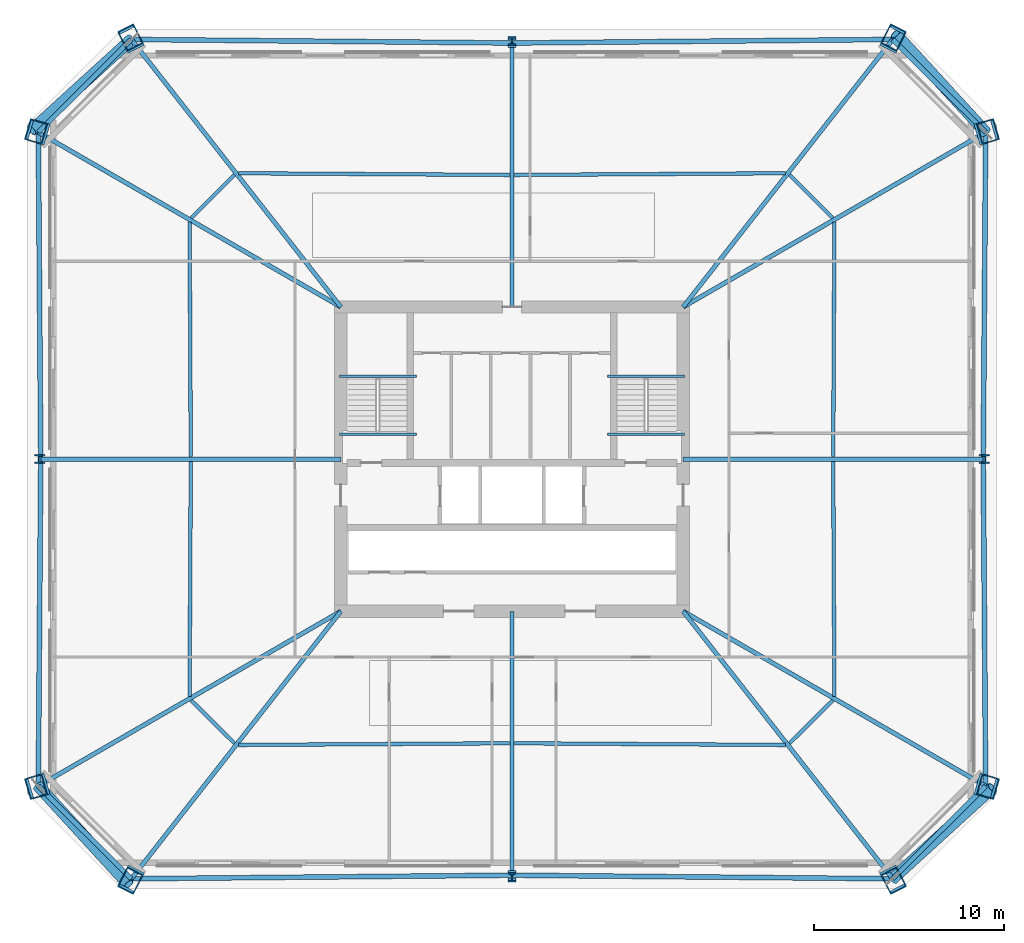
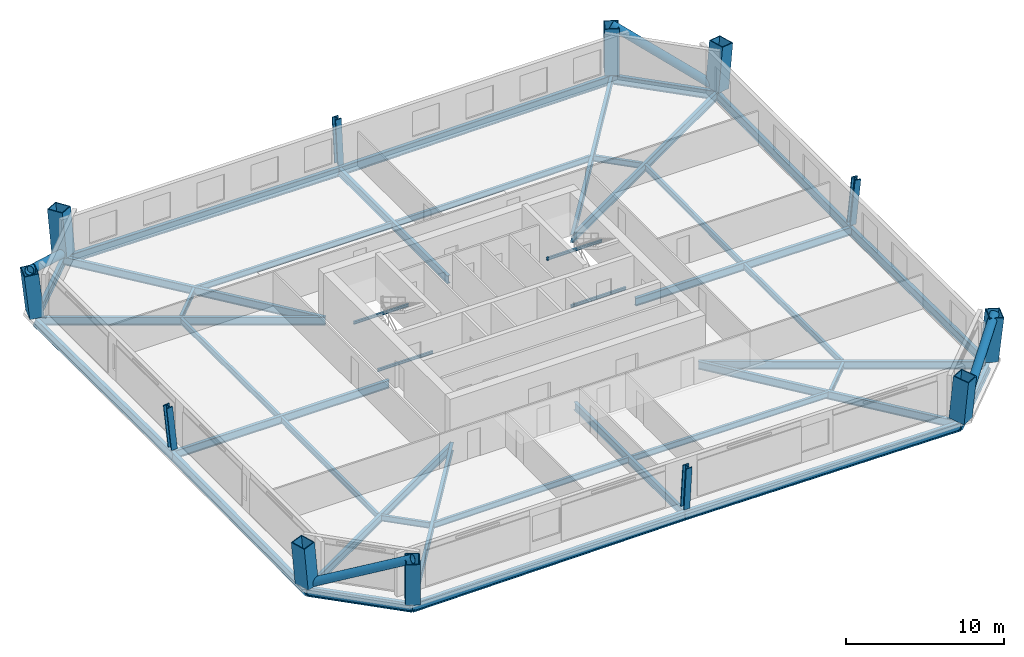
# One storey, part 1 of 10: 40 beams, 12 columns, 4 members.
"""IFC4 building model written with IfcOpenShell, lengths in metres."""

from ifc_helpers import new_model, si_unit, direction, frame, origin, origin_2d, place, context, subcontext, project, spatial, hollow_rectangle, hollow_circle, i_section, extrude, material, material_profile, profile_set, type_object, element, save


model = new_model("IFC4")

# Units and contexts
model_context = context("Model", 3, precision=1e-05, world=origin(), true_north=direction((0.0, 1.0)))
body_context = subcontext(model_context, "Body", "Model", "MODEL_VIEW")
ifc_project = project(units=[si_unit("LENGTHUNIT", "METRE"), si_unit("AREAUNIT", "SQUARE_METRE"), si_unit("VOLUMEUNIT", "CUBIC_METRE"), si_unit("PLANEANGLEUNIT", "RADIAN"), si_unit("MASSUNIT", "GRAM", prefix="KILO")], contexts=[model_context])

# Site, building, storey
site_placement = place(None, origin())
site = spatial("IfcSite", under=ifc_project, at=site_placement, CompositionType="ELEMENT")
building_placement = place(site_placement, origin())
building = spatial("IfcBuilding", under=site, at=building_placement, Name="Caelvoria Tower", CompositionType="ELEMENT")
storey_placement = place(building_placement, frame((0.0, 0.0, 56.800048828125)))
storey = spatial("IfcBuildingStorey", under=building, at=storey_placement, Name="L14", CompositionType="ELEMENT", Elevation=56.800048828125)

# Columns
ifc_material_1 = material(Name="Structural Steel ASTM A913 Gr.65", Category="steel")
ifc_material_profile_1 = material_profile(ifc_material_1, i_section(OverallWidth=0.427978515625, OverallDepth=0.48291015625, WebThickness=0.050537109375, FlangeThickness=0.08154296875, FilletRadius=0.02490234375, at=origin_2d()), Name="Structural Steel ASTM A913 Gr.65")
ifc_profile_set_1 = profile_set([ifc_material_profile_1], Name="W360X677 - Structural Steel ASTM A913 Gr.65")
column_type_1 = type_object("IfcColumnType", Name="Heavy Frame Column W360X677", PredefinedType="COLUMN", material=ifc_profile_set_1)
column_1_placement = place(storey_placement, frame((46.0, 10.1201171875, 0.0), z_axis=(0.0, -0.089001216718, 0.996031517284), x_axis=(1.0, 0.0, 0.0)))
element("IfcColumn", 1, at=column_1_placement, inside=storey, type_object=column_type_1, Name="Perimeter Megaframe Column L14-P01", PredefinedType="COLUMN", context=body_context, shape_type="SweptSolid", body=[
    extrude(i_section(OverallWidth=0.427978515625, OverallDepth=0.48291015625, WebThickness=0.050537109375, FlangeThickness=0.08154296875, FilletRadius=0.02490234375, at=origin_2d()), origin(), (0.0, 0.0, 1.0), 3.371337890625),
])
column_2_placement = place(storey_placement, frame((70.780029296875, 32.0, 0.0), z_axis=(0.103626949617, 0.0, 0.994616235195), x_axis=(-0.994616235195, 0.0, 0.103626949617)))
element("IfcColumn", 2, at=column_2_placement, inside=storey, type_object=column_type_1, Name="Perimeter Megaframe Column L14-P04", PredefinedType="COLUMN", context=body_context, shape_type="SweptSolid", body=[
    extrude(i_section(OverallWidth=0.427978515625, OverallDepth=0.48291015625, WebThickness=0.050537109375, FlangeThickness=0.08154296875, FilletRadius=0.02490234375, at=origin_2d()), origin(), (0.0, 0.0, 1.0), 3.3759765625),
])
column_3_placement = place(storey_placement, frame((46.0, 53.8798828125, 0.0), z_axis=(0.0, 0.089001216718, 0.996031517284), x_axis=(-1.0, 0.0, 0.0)))
element("IfcColumn", 3, at=column_3_placement, inside=storey, type_object=column_type_1, Name="Perimeter Megaframe Column L14-P07", PredefinedType="COLUMN", context=body_context, shape_type="SweptSolid", body=[
    extrude(i_section(OverallWidth=0.427978515625, OverallDepth=0.48291015625, WebThickness=0.050537109375, FlangeThickness=0.08154296875, FilletRadius=0.02490234375, at=origin_2d()), origin(), (0.0, 0.0, 1.0), 3.371337890625),
])
column_4_placement = place(storey_placement, frame((21.219970703125, 32.0, 0.0), z_axis=(-0.103626949617, 0.0, 0.994616235195), x_axis=(0.994616235195, 0.0, 0.103626949617)))
element("IfcColumn", 4, at=column_4_placement, inside=storey, type_object=column_type_1, Name="Perimeter Megaframe Column L14-P10", PredefinedType="COLUMN", context=body_context, shape_type="SweptSolid", body=[
    extrude(i_section(OverallWidth=0.427978515625, OverallDepth=0.48291015625, WebThickness=0.050537109375, FlangeThickness=0.08154296875, FilletRadius=0.02490234375, at=origin_2d()), origin(), (0.0, 0.0, 1.0), 3.3759765625),
])
ifc_material_2 = material(Name="Structural Steel ASTM A572 Gr.50", Category="steel")
ifc_material_profile_2 = material_profile(ifc_material_2, hollow_rectangle(XDim=0.949951171875, YDim=1.14990234375, WallThickness=0.06005859375, at=origin_2d()), Name="Structural Steel ASTM A572 Gr.50")
ifc_profile_set_2 = profile_set([ifc_material_profile_2], Name="BOX1150X950X60 - Structural Steel ASTM A572 Gr.50")
column_type_2 = type_object("IfcColumnType", Name="Mega Box Column 1150x950x60", PredefinedType="COLUMN", material=ifc_profile_set_2)
for number, where, z_axis, x_axis, name in (
    (5, (25.983642578125, 9.933349609375, 0.0), (-0.04485544424, -0.088480981137, 0.995067387215), (0.891933822614, -0.452165960769, 0.0), "Perimeter Megaframe Column L14-P00"),
    (6, (66.016357421875, 9.933349609375, 0.0), (0.04485544424, -0.088480981137, 0.995067387215), (0.891933822614, 0.452165960769, 0.0), "Perimeter Megaframe Column L14-P02"),
):
    element("IfcColumn", number, at=place(storey_placement, frame(where, z_axis=z_axis, x_axis=x_axis)), inside=storey, type_object=column_type_2, Name=name, PredefinedType="COLUMN", context=body_context, shape_type="SweptSolid", body=[
        extrude(hollow_rectangle(XDim=0.949951171875, YDim=1.14990234375, WallThickness=0.06005859375, at=origin_2d()), origin(), (0.0, 0.0, 1.0), 3.37451171875),
    ])
for number, where, z_axis, x_axis, name in (
    (7, (70.907470703125, 14.80908203125, 0.0), (0.103150348316, -0.030287313206, 0.994204548522), (-0.953933183148, 0.280096708997, 0.107504956625), "Perimeter Megaframe Column L14-P03"),
    (8, (70.907470703125, 49.19091796875, 0.0), (0.103150348316, 0.030287313206, 0.994204548522), (-0.953933183148, -0.280096708997, 0.107504956625), "Perimeter Megaframe Column L14-P05"),
):
    element("IfcColumn", number, at=place(storey_placement, frame(where, z_axis=z_axis, x_axis=x_axis)), inside=storey, type_object=column_type_2, Name=name, PredefinedType="COLUMN", context=body_context, shape_type="SweptSolid", body=[
        extrude(hollow_rectangle(XDim=0.949951171875, YDim=1.14990234375, WallThickness=0.06005859375, at=origin_2d()), origin(), (0.0, 0.0, 1.0), 3.37744140625),
    ])
for number, where, z_axis, x_axis, name in (
    (9, (66.016357421875, 54.066650390625, 0.0), (0.04485544424, 0.088480981137, 0.995067387215), (-0.891933822614, 0.452165960769, 0.0), "Perimeter Megaframe Column L14-P06"),
    (10, (25.983642578125, 54.066650390625, 0.0), (-0.04485544424, 0.088480981137, 0.995067387215), (-0.891933822614, -0.452165960769, 0.0), "Perimeter Megaframe Column L14-P08"),
):
    element("IfcColumn", number, at=place(storey_placement, frame(where, z_axis=z_axis, x_axis=x_axis)), inside=storey, type_object=column_type_2, Name=name, PredefinedType="COLUMN", context=body_context, shape_type="SweptSolid", body=[
        extrude(hollow_rectangle(XDim=0.949951171875, YDim=1.14990234375, WallThickness=0.06005859375, at=origin_2d()), origin(), (0.0, 0.0, 1.0), 3.37451171875),
    ])
for number, where, z_axis, x_axis, name in (
    (11, (21.092529296875, 49.19091796875, 0.0), (-0.103150348316, 0.030287313206, 0.994204548522), (0.953933183148, -0.280096708997, 0.107504956625), "Perimeter Megaframe Column L14-P09"),
    (12, (21.092529296875, 14.80908203125, 0.0), (-0.103150348316, -0.030287313206, 0.994204548522), (0.953933183148, 0.280096708997, 0.107504956625), "Perimeter Megaframe Column L14-P11"),
):
    element("IfcColumn", number, at=place(storey_placement, frame(where, z_axis=z_axis, x_axis=x_axis)), inside=storey, type_object=column_type_2, Name=name, PredefinedType="COLUMN", context=body_context, shape_type="SweptSolid", body=[
        extrude(hollow_rectangle(XDim=0.949951171875, YDim=1.14990234375, WallThickness=0.06005859375, at=origin_2d()), origin(), (0.0, 0.0, 1.0), 3.37744140625),
    ])

# Beams
ifc_material_3 = material(Name="Structural Steel ASTM A992 Gr.50", Category="steel")
ifc_material_profile_3 = material_profile(ifc_material_3, i_section(OverallWidth=0.134033203125, OverallDepth=0.2099609375, WebThickness=0.00634765625, FlangeThickness=0.01025390625, FilletRadius=0.010009765625, at=origin_2d()), Name="Structural Steel ASTM A992 Gr.50")
ifc_profile_set_3 = profile_set([ifc_material_profile_3], Name="W200X31.3 - Structural Steel ASTM A992 Gr.50")
beam_type_1 = type_object("IfcBeamType", Name="Canopy Edge Trim Beam W200X31.3", PredefinedType="BEAM", material=ifc_profile_set_3)
for number, where, z_axis, x_axis, name in (
    (13, (36.929931640625, 36.35009765625, 1.494873046875), (1.0, 0.0, 0.0), (0.0, 1.0, 0.0), "ST-01 Half-Landing Support Beam L14"),
    (14, (36.929931640625, 33.300048828125, -0.304931640625), (1.0, 0.0, 0.0), (0.0, 1.0, 0.0), "ST-01 Floor-Landing Support Beam L14"),
    (15, (51.030029296875, 36.35009765625, 1.494873046875), (1.0, 0.0, 0.0), (0.0, 1.0, 0.0), "ST-02 Half-Landing Support Beam L14"),
    (16, (51.030029296875, 33.300048828125, -0.304931640625), (1.0, 0.0, 0.0), (0.0, 1.0, 0.0), "ST-02 Floor-Landing Support Beam L14"),
):
    element("IfcBeam", number, at=place(storey_placement, frame(where, z_axis=z_axis, x_axis=x_axis)), inside=storey, type_object=beam_type_1, Name=name, PredefinedType="BEAM", context=body_context, shape_type="SweptSolid", body=[
        extrude(i_section(OverallWidth=0.134033203125, OverallDepth=0.2099609375, WebThickness=0.00634765625, FlangeThickness=0.01025390625, FilletRadius=0.010009765625, at=origin_2d()), origin(), (0.0, 0.0, 1.0), 4.0400390625),
    ])

# Members
ifc_material_profile_4 = material_profile(ifc_material_2, hollow_circle(Radius=0.304931640625, WallThickness=0.02490234375, at=origin_2d()), Name="Structural Steel ASTM A572 Gr.50")
ifc_profile_set_4 = profile_set([ifc_material_profile_4], Name="CHS610X25 - Structural Steel ASTM A572 Gr.50")
member_type = type_object("IfcMemberType", Name="Lower Perimeter Mega Brace CHS610X25", PredefinedType="BRACE", material=ifc_profile_set_4)
member_1_placement = place(storey_placement, frame((66.016357421875, 9.933349609375, 0.0), z_axis=(0.667971536935, 0.608554097673, 0.428340911016), x_axis=(-0.673464482846, 0.739219581954, 0.0)))
element("IfcMember", 17, at=member_1_placement, inside=storey, type_object=member_type, Name="Perimeter Chamfer Mega Brace L14 SE", PredefinedType="BRACE", context=body_context, shape_type="SweptSolid", body=[
    extrude(hollow_circle(Radius=0.304931640625, WallThickness=0.02490234375, at=origin_2d()), origin(), (0.0, 0.0, 1.0), 7.843994140625),
])
member_2_placement = place(storey_placement, frame((70.907470703125, 49.19091796875, 0.0), z_axis=(-0.609226771869, 0.665084588596, 0.431862513365), x_axis=(-0.737393834341, -0.675463050859, 0.0)))
element("IfcMember", 18, at=member_2_placement, inside=storey, type_object=member_type, Name="Perimeter Chamfer Mega Brace L14 NE", PredefinedType="BRACE", context=body_context, shape_type="SweptSolid", body=[
    extrude(hollow_circle(Radius=0.304931640625, WallThickness=0.02490234375, at=origin_2d()), origin(), (0.0, 0.0, 1.0), 7.780029296875),
])
member_3_placement = place(storey_placement, frame((25.983642578125, 54.066650390625, 0.0), z_axis=(-0.667971536935, -0.608554097673, 0.428340911016), x_axis=(0.673464482846, -0.739219581954, 0.0)))
element("IfcMember", 19, at=member_3_placement, inside=storey, type_object=member_type, Name="Perimeter Chamfer Mega Brace L14 NW", PredefinedType="BRACE", context=body_context, shape_type="SweptSolid", body=[
    extrude(hollow_circle(Radius=0.304931640625, WallThickness=0.02490234375, at=origin_2d()), origin(), (0.0, 0.0, 1.0), 7.843994140625),
])
member_4_placement = place(storey_placement, frame((21.092529296875, 14.80908203125, 0.0), z_axis=(0.609226771869, -0.665084588596, 0.431862513365), x_axis=(0.737393834341, 0.675463050859, 0.0)))
element("IfcMember", 20, at=member_4_placement, inside=storey, type_object=member_type, Name="Perimeter Chamfer Mega Brace L14 SW", PredefinedType="BRACE", context=body_context, shape_type="SweptSolid", body=[
    extrude(hollow_circle(Radius=0.304931640625, WallThickness=0.02490234375, at=origin_2d()), origin(), (0.0, 0.0, 1.0), 7.780029296875),
])

# Beams
ifc_material_profile_5 = material_profile(ifc_material_3, i_section(OverallWidth=0.25390625, OverallDepth=0.68798828125, WebThickness=0.01318359375, FlangeThickness=0.02099609375, FilletRadius=0.01904296875, at=origin_2d()), Name="Structural Steel ASTM A992 Gr.50")
ifc_profile_set_5 = profile_set([ifc_material_profile_5], Name="W690X152 - Structural Steel ASTM A992 Gr.50")
beam_type_2 = type_object("IfcBeamType", Name="Perimeter Spandrel Girder W690X152", PredefinedType="BEAM", material=ifc_profile_set_5)
for number, where, z_axis, x_axis, name in (
    (21, (25.983642578125, 9.933349609375, -0.583984375), (0.999956471417, 0.009330341403, 0.0), (-0.009330341403, 0.999956471417, 0.0), "Perimeter Spandrel Girder L14-00"),
    (22, (46.0, 10.1201171875, -0.583984375), (0.999956471417, -0.009330341403, 0.0), (0.009330341403, 0.999956471417, 0.0), "Perimeter Spandrel Girder L14-01"),
):
    element("IfcBeam", number, at=place(storey_placement, frame(where, z_axis=z_axis, x_axis=x_axis)), inside=storey, type_object=beam_type_2, Name=name, PredefinedType="BEAM", context=body_context, shape_type="SweptSolid", body=[
        extrude(i_section(OverallWidth=0.25390625, OverallDepth=0.68798828125, WebThickness=0.01318359375, FlangeThickness=0.02099609375, FilletRadius=0.01904296875, at=origin_2d()), origin(), (0.0, 0.0, 1.0), 20.017333984375),
    ])
beam_1_placement = place(storey_placement, frame((66.016357421875, 9.933349609375, -0.583984375), z_axis=(0.708219456979, 0.705992351769, 0.0), x_axis=(-0.705992351769, 0.708219456979, 0.0)))
element("IfcBeam", 23, at=beam_1_placement, inside=storey, type_object=beam_type_2, Name="Perimeter Spandrel Girder L14-02", PredefinedType="BEAM", context=body_context, shape_type="SweptSolid", body=[
    extrude(i_section(OverallWidth=0.25390625, OverallDepth=0.68798828125, WebThickness=0.01318359375, FlangeThickness=0.02099609375, FilletRadius=0.01904296875, at=origin_2d()), origin(), (0.0, 0.0, 1.0), 6.90625),
])
for number, where, z_axis, x_axis, name in (
    (24, (70.907470703125, 14.80908203125, -0.583984375), (-0.007413094794, 0.999972522635, 0.0), (-0.999972522635, -0.007413094794, 0.0), "Perimeter Spandrel Girder L14-03"),
    (25, (70.780029296875, 32.0, -0.583984375), (0.007413094794, 0.999972522635, 0.0), (-0.999972522635, 0.007413094794, 0.0), "Perimeter Spandrel Girder L14-04"),
):
    element("IfcBeam", number, at=place(storey_placement, frame(where, z_axis=z_axis, x_axis=x_axis)), inside=storey, type_object=beam_type_2, Name=name, PredefinedType="BEAM", context=body_context, shape_type="SweptSolid", body=[
        extrude(i_section(OverallWidth=0.25390625, OverallDepth=0.68798828125, WebThickness=0.01318359375, FlangeThickness=0.02099609375, FilletRadius=0.01904296875, at=origin_2d()), origin(), (0.0, 0.0, 1.0), 17.19140625),
    ])
beam_2_placement = place(storey_placement, frame((70.907470703125, 49.19091796875, -0.583984375), z_axis=(-0.708219456979, 0.705992351769, 0.0), x_axis=(-0.705992351769, -0.708219456979, 0.0)))
element("IfcBeam", 26, at=beam_2_placement, inside=storey, type_object=beam_type_2, Name="Perimeter Spandrel Girder L14-05", PredefinedType="BEAM", context=body_context, shape_type="SweptSolid", body=[
    extrude(i_section(OverallWidth=0.25390625, OverallDepth=0.68798828125, WebThickness=0.01318359375, FlangeThickness=0.02099609375, FilletRadius=0.01904296875, at=origin_2d()), origin(), (0.0, 0.0, 1.0), 6.90625),
])
for number, where, z_axis, x_axis, name in (
    (27, (66.016357421875, 54.066650390625, -0.583984375), (-0.999956471417, -0.009330341403, 0.0), (0.009330341403, -0.999956471417, 0.0), "Perimeter Spandrel Girder L14-06"),
    (28, (46.0, 53.8798828125, -0.583984375), (-0.999956471417, 0.009330341403, 0.0), (-0.009330341403, -0.999956471417, 0.0), "Perimeter Spandrel Girder L14-07"),
):
    element("IfcBeam", number, at=place(storey_placement, frame(where, z_axis=z_axis, x_axis=x_axis)), inside=storey, type_object=beam_type_2, Name=name, PredefinedType="BEAM", context=body_context, shape_type="SweptSolid", body=[
        extrude(i_section(OverallWidth=0.25390625, OverallDepth=0.68798828125, WebThickness=0.01318359375, FlangeThickness=0.02099609375, FilletRadius=0.01904296875, at=origin_2d()), origin(), (0.0, 0.0, 1.0), 20.017333984375),
    ])
beam_3_placement = place(storey_placement, frame((25.983642578125, 54.066650390625, -0.583984375), z_axis=(-0.708219456979, -0.705992351769, 0.0), x_axis=(0.705992351769, -0.708219456979, 0.0)))
element("IfcBeam", 29, at=beam_3_placement, inside=storey, type_object=beam_type_2, Name="Perimeter Spandrel Girder L14-08", PredefinedType="BEAM", context=body_context, shape_type="SweptSolid", body=[
    extrude(i_section(OverallWidth=0.25390625, OverallDepth=0.68798828125, WebThickness=0.01318359375, FlangeThickness=0.02099609375, FilletRadius=0.01904296875, at=origin_2d()), origin(), (0.0, 0.0, 1.0), 6.90625),
])
for number, where, z_axis, x_axis, name in (
    (30, (21.092529296875, 49.19091796875, -0.583984375), (0.007413094794, -0.999972522635, 0.0), (0.999972522635, 0.007413094794, 0.0), "Perimeter Spandrel Girder L14-09"),
    (31, (21.219970703125, 32.0, -0.583984375), (-0.007413094794, -0.999972522635, 0.0), (0.999972522635, -0.007413094794, 0.0), "Perimeter Spandrel Girder L14-10"),
):
    element("IfcBeam", number, at=place(storey_placement, frame(where, z_axis=z_axis, x_axis=x_axis)), inside=storey, type_object=beam_type_2, Name=name, PredefinedType="BEAM", context=body_context, shape_type="SweptSolid", body=[
        extrude(i_section(OverallWidth=0.25390625, OverallDepth=0.68798828125, WebThickness=0.01318359375, FlangeThickness=0.02099609375, FilletRadius=0.01904296875, at=origin_2d()), origin(), (0.0, 0.0, 1.0), 17.19140625),
    ])
beam_4_placement = place(storey_placement, frame((21.092529296875, 14.80908203125, -0.583984375), z_axis=(0.708219456979, -0.705992351769, 0.0), x_axis=(0.705992351769, 0.708219456979, 0.0)))
element("IfcBeam", 32, at=beam_4_placement, inside=storey, type_object=beam_type_2, Name="Perimeter Spandrel Girder L14-11", PredefinedType="BEAM", context=body_context, shape_type="SweptSolid", body=[
    extrude(i_section(OverallWidth=0.25390625, OverallDepth=0.68798828125, WebThickness=0.01318359375, FlangeThickness=0.02099609375, FilletRadius=0.01904296875, at=origin_2d()), origin(), (0.0, 0.0, 1.0), 6.90625),
])
ifc_material_profile_6 = material_profile(ifc_material_3, i_section(OverallWidth=0.22900390625, OverallDepth=0.612060546875, WebThickness=0.011962890625, FlangeThickness=0.01953125, FilletRadius=0.01806640625, at=origin_2d()), Name="Structural Steel ASTM A992 Gr.50")
ifc_profile_set_6 = profile_set([ifc_material_profile_6], Name="W610X125 - Structural Steel ASTM A992 Gr.50")
beam_type_3 = type_object("IfcBeamType", Name="Primary Radial Floor Girder W610X125", PredefinedType="BEAM", material=ifc_profile_set_6)
beam_5_placement = place(storey_placement, frame((37.0, 24.0, -0.546142578125), z_axis=(-0.616574608336, -0.787296483134, 0.0), x_axis=(0.787296483134, -0.616574608336, 0.0)))
element("IfcBeam", 33, at=beam_5_placement, inside=storey, type_object=beam_type_3, Name="Primary Floor Girder L14-00", PredefinedType="BEAM", context=body_context, shape_type="SweptSolid", body=[
    extrude(i_section(OverallWidth=0.22900390625, OverallDepth=0.612060546875, WebThickness=0.011962890625, FlangeThickness=0.01953125, FilletRadius=0.01806640625, at=origin_2d()), origin(), (0.0, 0.0, 1.0), 17.866943359375),
])
beam_6_placement = place(storey_placement, frame((46.0, 24.0, -0.546142578125), z_axis=(0.0, -1.0, 0.0), x_axis=(1.0, 0.0, 0.0)))
element("IfcBeam", 34, at=beam_6_placement, inside=storey, type_object=beam_type_3, Name="Primary Floor Girder L14-01", PredefinedType="BEAM", context=body_context, shape_type="SweptSolid", body=[
    extrude(i_section(OverallWidth=0.22900390625, OverallDepth=0.612060546875, WebThickness=0.011962890625, FlangeThickness=0.01953125, FilletRadius=0.01806640625, at=origin_2d()), origin(), (0.0, 0.0, 1.0), 13.8798828125),
])
beam_7_placement = place(storey_placement, frame((55.0, 24.0, -0.546142578125), z_axis=(0.616574608336, -0.787296483134, 0.0), x_axis=(0.787296483134, 0.616574608336, 0.0)))
element("IfcBeam", 35, at=beam_7_placement, inside=storey, type_object=beam_type_3, Name="Primary Floor Girder L14-02", PredefinedType="BEAM", context=body_context, shape_type="SweptSolid", body=[
    extrude(i_section(OverallWidth=0.22900390625, OverallDepth=0.612060546875, WebThickness=0.011962890625, FlangeThickness=0.01953125, FilletRadius=0.01806640625, at=origin_2d()), origin(), (0.0, 0.0, 1.0), 17.866943359375),
])
beam_8_placement = place(storey_placement, frame((55.0, 24.0, -0.546142578125), z_axis=(0.865866608281, -0.500274941071, 0.0), x_axis=(0.500274941071, 0.865866608281, 0.0)))
element("IfcBeam", 36, at=beam_8_placement, inside=storey, type_object=beam_type_3, Name="Primary Floor Girder L14-03", PredefinedType="BEAM", context=body_context, shape_type="SweptSolid", body=[
    extrude(i_section(OverallWidth=0.22900390625, OverallDepth=0.612060546875, WebThickness=0.011962890625, FlangeThickness=0.01953125, FilletRadius=0.01806640625, at=origin_2d()), origin(), (0.0, 0.0, 1.0), 18.371826171875),
])
beam_9_placement = place(storey_placement, frame((55.0, 32.0, -0.546142578125), z_axis=(1.0, 0.0, 0.0), x_axis=(0.0, 1.0, 0.0)))
element("IfcBeam", 37, at=beam_9_placement, inside=storey, type_object=beam_type_3, Name="Primary Floor Girder L14-04", PredefinedType="BEAM", context=body_context, shape_type="SweptSolid", body=[
    extrude(i_section(OverallWidth=0.22900390625, OverallDepth=0.612060546875, WebThickness=0.011962890625, FlangeThickness=0.01953125, FilletRadius=0.01806640625, at=origin_2d()), origin(), (0.0, 0.0, 1.0), 15.780029296875),
])
beam_10_placement = place(storey_placement, frame((55.0, 40.0, -0.546142578125), z_axis=(0.865866608281, 0.500274941071, 0.0), x_axis=(-0.500274941071, 0.865866608281, 0.0)))
element("IfcBeam", 38, at=beam_10_placement, inside=storey, type_object=beam_type_3, Name="Primary Floor Girder L14-05", PredefinedType="BEAM", context=body_context, shape_type="SweptSolid", body=[
    extrude(i_section(OverallWidth=0.22900390625, OverallDepth=0.612060546875, WebThickness=0.011962890625, FlangeThickness=0.01953125, FilletRadius=0.01806640625, at=origin_2d()), origin(), (0.0, 0.0, 1.0), 18.371826171875),
])
beam_11_placement = place(storey_placement, frame((55.0, 40.0, -0.546142578125), z_axis=(0.616574608336, 0.787296483134, 0.0), x_axis=(-0.787296483134, 0.616574608336, 0.0)))
element("IfcBeam", 39, at=beam_11_placement, inside=storey, type_object=beam_type_3, Name="Primary Floor Girder L14-06", PredefinedType="BEAM", context=body_context, shape_type="SweptSolid", body=[
    extrude(i_section(OverallWidth=0.22900390625, OverallDepth=0.612060546875, WebThickness=0.011962890625, FlangeThickness=0.01953125, FilletRadius=0.01806640625, at=origin_2d()), origin(), (0.0, 0.0, 1.0), 17.866943359375),
])
beam_12_placement = place(storey_placement, frame((46.0, 40.0, -0.546142578125), z_axis=(0.0, 1.0, 0.0), x_axis=(-1.0, 0.0, 0.0)))
element("IfcBeam", 40, at=beam_12_placement, inside=storey, type_object=beam_type_3, Name="Primary Floor Girder L14-07", PredefinedType="BEAM", context=body_context, shape_type="SweptSolid", body=[
    extrude(i_section(OverallWidth=0.22900390625, OverallDepth=0.612060546875, WebThickness=0.011962890625, FlangeThickness=0.01953125, FilletRadius=0.01806640625, at=origin_2d()), origin(), (0.0, 0.0, 1.0), 13.8798828125),
])
beam_13_placement = place(storey_placement, frame((37.0, 40.0, -0.546142578125), z_axis=(-0.616574608336, 0.787296483134, 0.0), x_axis=(-0.787296483134, -0.616574608336, 0.0)))
element("IfcBeam", 41, at=beam_13_placement, inside=storey, type_object=beam_type_3, Name="Primary Floor Girder L14-08", PredefinedType="BEAM", context=body_context, shape_type="SweptSolid", body=[
    extrude(i_section(OverallWidth=0.22900390625, OverallDepth=0.612060546875, WebThickness=0.011962890625, FlangeThickness=0.01953125, FilletRadius=0.01806640625, at=origin_2d()), origin(), (0.0, 0.0, 1.0), 17.866943359375),
])
beam_14_placement = place(storey_placement, frame((37.0, 40.0, -0.546142578125), z_axis=(-0.865866608281, 0.500274941071, 0.0), x_axis=(-0.500274941071, -0.865866608281, 0.0)))
element("IfcBeam", 42, at=beam_14_placement, inside=storey, type_object=beam_type_3, Name="Primary Floor Girder L14-09", PredefinedType="BEAM", context=body_context, shape_type="SweptSolid", body=[
    extrude(i_section(OverallWidth=0.22900390625, OverallDepth=0.612060546875, WebThickness=0.011962890625, FlangeThickness=0.01953125, FilletRadius=0.01806640625, at=origin_2d()), origin(), (0.0, 0.0, 1.0), 18.371826171875),
])
beam_15_placement = place(storey_placement, frame((37.0, 32.0, -0.546142578125), z_axis=(-1.0, 0.0, 0.0), x_axis=(0.0, -1.0, 0.0)))
element("IfcBeam", 43, at=beam_15_placement, inside=storey, type_object=beam_type_3, Name="Primary Floor Girder L14-10", PredefinedType="BEAM", context=body_context, shape_type="SweptSolid", body=[
    extrude(i_section(OverallWidth=0.22900390625, OverallDepth=0.612060546875, WebThickness=0.011962890625, FlangeThickness=0.01953125, FilletRadius=0.01806640625, at=origin_2d()), origin(), (0.0, 0.0, 1.0), 15.780029296875),
])
beam_16_placement = place(storey_placement, frame((37.0, 24.0, -0.546142578125), z_axis=(-0.865866608281, -0.500274941071, 0.0), x_axis=(0.500274941071, -0.865866608281, 0.0)))
element("IfcBeam", 44, at=beam_16_placement, inside=storey, type_object=beam_type_3, Name="Primary Floor Girder L14-11", PredefinedType="BEAM", context=body_context, shape_type="SweptSolid", body=[
    extrude(i_section(OverallWidth=0.22900390625, OverallDepth=0.612060546875, WebThickness=0.011962890625, FlangeThickness=0.01953125, FilletRadius=0.01806640625, at=origin_2d()), origin(), (0.0, 0.0, 1.0), 18.371826171875),
])
ifc_material_profile_7 = material_profile(ifc_material_3, i_section(OverallWidth=0.18994140625, OverallDepth=0.45703125, WebThickness=0.009033203125, FlangeThickness=0.014404296875, FilletRadius=0.014892578125, at=origin_2d()), Name="Structural Steel ASTM A992 Gr.50")
ifc_profile_set_7 = profile_set([ifc_material_profile_7], Name="W460X74 - Structural Steel ASTM A992 Gr.50")
beam_type_4 = type_object("IfcBeamType", Name="Secondary Floor Beam W460X74", PredefinedType="BEAM", material=ifc_profile_set_7)
for number, where, z_axis, x_axis, name in (
    (45, (31.61669921875, 16.967529296875, -0.468505859375), (0.999979385934, 0.006420880616, 0.0), (-0.006420880616, 0.999979385934, 0.0), "Secondary Floor Beam L14-00"),
    (46, (46.125, 17.05908203125, -0.468505859375), (0.999979385934, -0.006420880616, 0.0), (0.006420880616, 0.999979385934, 0.0), "Secondary Floor Beam L14-01"),
):
    element("IfcBeam", number, at=place(storey_placement, frame(where, z_axis=z_axis, x_axis=x_axis)), inside=storey, type_object=beam_type_4, Name=name, PredefinedType="BEAM", context=body_context, shape_type="SweptSolid", body=[
        extrude(i_section(OverallWidth=0.18994140625, OverallDepth=0.45703125, WebThickness=0.009033203125, FlangeThickness=0.014404296875, FilletRadius=0.014892578125, at=origin_2d()), origin(), (0.0, 0.0, 1.0), 14.258544921875),
    ])
beam_17_placement = place(storey_placement, frame((60.5966796875, 17.054931640625, -0.468505859375), z_axis=(0.708211068275, 0.706000766835, 0.0), x_axis=(-0.706000766835, 0.708211068275, 0.0)))
element("IfcBeam", 47, at=beam_17_placement, inside=storey, type_object=beam_type_4, Name="Secondary Floor Beam L14-02", PredefinedType="BEAM", context=body_context, shape_type="SweptSolid", body=[
    extrude(i_section(OverallWidth=0.18994140625, OverallDepth=0.45703125, WebThickness=0.009033203125, FlangeThickness=0.014404296875, FilletRadius=0.014892578125, at=origin_2d()), origin(), (0.0, 0.0, 1.0), 3.203125),
])
for number, where, z_axis, x_axis, name in (
    (48, (62.953125, 19.529541015625, -0.468505859375), (-0.005062525351, 0.999987185336, 0.0), (-0.999987185336, -0.005062525351, 0.0), "Secondary Floor Beam L14-03"),
    (49, (62.890625, 32.125, -0.468505859375), (0.005062525351, 0.999987185336, 0.0), (-0.999987185336, 0.005062525351, 0.0), "Secondary Floor Beam L14-04"),
):
    element("IfcBeam", number, at=place(storey_placement, frame(where, z_axis=z_axis, x_axis=x_axis)), inside=storey, type_object=beam_type_4, Name=name, PredefinedType="BEAM", context=body_context, shape_type="SweptSolid", body=[
        extrude(i_section(OverallWidth=0.18994140625, OverallDepth=0.45703125, WebThickness=0.009033203125, FlangeThickness=0.014404296875, FilletRadius=0.014892578125, at=origin_2d()), origin(), (0.0, 0.0, 1.0), 12.345703125),
    ])
beam_18_placement = place(storey_placement, frame((62.865234375, 44.68359375, -0.468505859375), z_axis=(-0.708211068275, 0.706000766835, 0.0), x_axis=(-0.706000766835, -0.708211068275, 0.0)))
element("IfcBeam", 50, at=beam_18_placement, inside=storey, type_object=beam_type_4, Name="Secondary Floor Beam L14-05", PredefinedType="BEAM", context=body_context, shape_type="SweptSolid", body=[
    extrude(i_section(OverallWidth=0.18994140625, OverallDepth=0.45703125, WebThickness=0.009033203125, FlangeThickness=0.014404296875, FilletRadius=0.014892578125, at=origin_2d()), origin(), (0.0, 0.0, 1.0), 3.203125),
])
for number, where, z_axis, x_axis, name in (
    (51, (60.38330078125, 47.032470703125, -0.468505859375), (-0.999979385934, -0.006420880616, 0.0), (0.006420880616, -0.999979385934, 0.0), "Secondary Floor Beam L14-06"),
    (52, (45.875, 46.94091796875, -0.468505859375), (-0.999979385934, 0.006420880616, 0.0), (-0.006420880616, -0.999979385934, 0.0), "Secondary Floor Beam L14-07"),
):
    element("IfcBeam", number, at=place(storey_placement, frame(where, z_axis=z_axis, x_axis=x_axis)), inside=storey, type_object=beam_type_4, Name=name, PredefinedType="BEAM", context=body_context, shape_type="SweptSolid", body=[
        extrude(i_section(OverallWidth=0.18994140625, OverallDepth=0.45703125, WebThickness=0.009033203125, FlangeThickness=0.014404296875, FilletRadius=0.014892578125, at=origin_2d()), origin(), (0.0, 0.0, 1.0), 14.258544921875),
    ])
beam_19_placement = place(storey_placement, frame((31.4033203125, 46.945068359375, -0.468505859375), z_axis=(-0.708211068275, -0.706000766835, 0.0), x_axis=(0.706000766835, -0.708211068275, 0.0)))
element("IfcBeam", 53, at=beam_19_placement, inside=storey, type_object=beam_type_4, Name="Secondary Floor Beam L14-08", PredefinedType="BEAM", context=body_context, shape_type="SweptSolid", body=[
    extrude(i_section(OverallWidth=0.18994140625, OverallDepth=0.45703125, WebThickness=0.009033203125, FlangeThickness=0.014404296875, FilletRadius=0.014892578125, at=origin_2d()), origin(), (0.0, 0.0, 1.0), 3.203125),
])
for number, where, z_axis, x_axis, name in (
    (54, (29.046875, 44.470458984375, -0.468505859375), (0.005062525351, -0.999987185336, 0.0), (0.999987185336, 0.005062525351, 0.0), "Secondary Floor Beam L14-09"),
    (55, (29.109375, 31.875, -0.468505859375), (-0.005062525351, -0.999987185336, 0.0), (0.999987185336, -0.005062525351, 0.0), "Secondary Floor Beam L14-10"),
):
    element("IfcBeam", number, at=place(storey_placement, frame(where, z_axis=z_axis, x_axis=x_axis)), inside=storey, type_object=beam_type_4, Name=name, PredefinedType="BEAM", context=body_context, shape_type="SweptSolid", body=[
        extrude(i_section(OverallWidth=0.18994140625, OverallDepth=0.45703125, WebThickness=0.009033203125, FlangeThickness=0.014404296875, FilletRadius=0.014892578125, at=origin_2d()), origin(), (0.0, 0.0, 1.0), 12.345703125),
    ])
beam_20_placement = place(storey_placement, frame((29.134765625, 19.31640625, -0.468505859375), z_axis=(0.708211068275, -0.706000766835, 0.0), x_axis=(0.706000766835, 0.708211068275, 0.0)))
element("IfcBeam", 56, at=beam_20_placement, inside=storey, type_object=beam_type_4, Name="Secondary Floor Beam L14-11", PredefinedType="BEAM", context=body_context, shape_type="SweptSolid", body=[
    extrude(i_section(OverallWidth=0.18994140625, OverallDepth=0.45703125, WebThickness=0.009033203125, FlangeThickness=0.014404296875, FilletRadius=0.014892578125, at=origin_2d()), origin(), (0.0, 0.0, 1.0), 3.203125),
])

save(model, "model.ifc")
